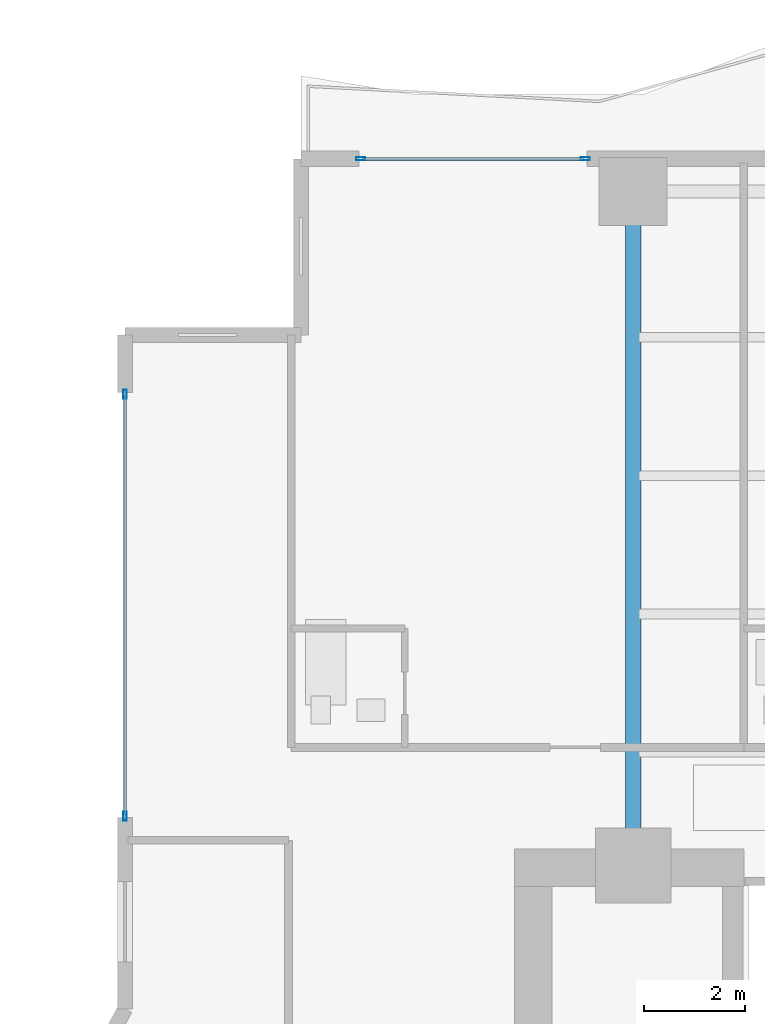
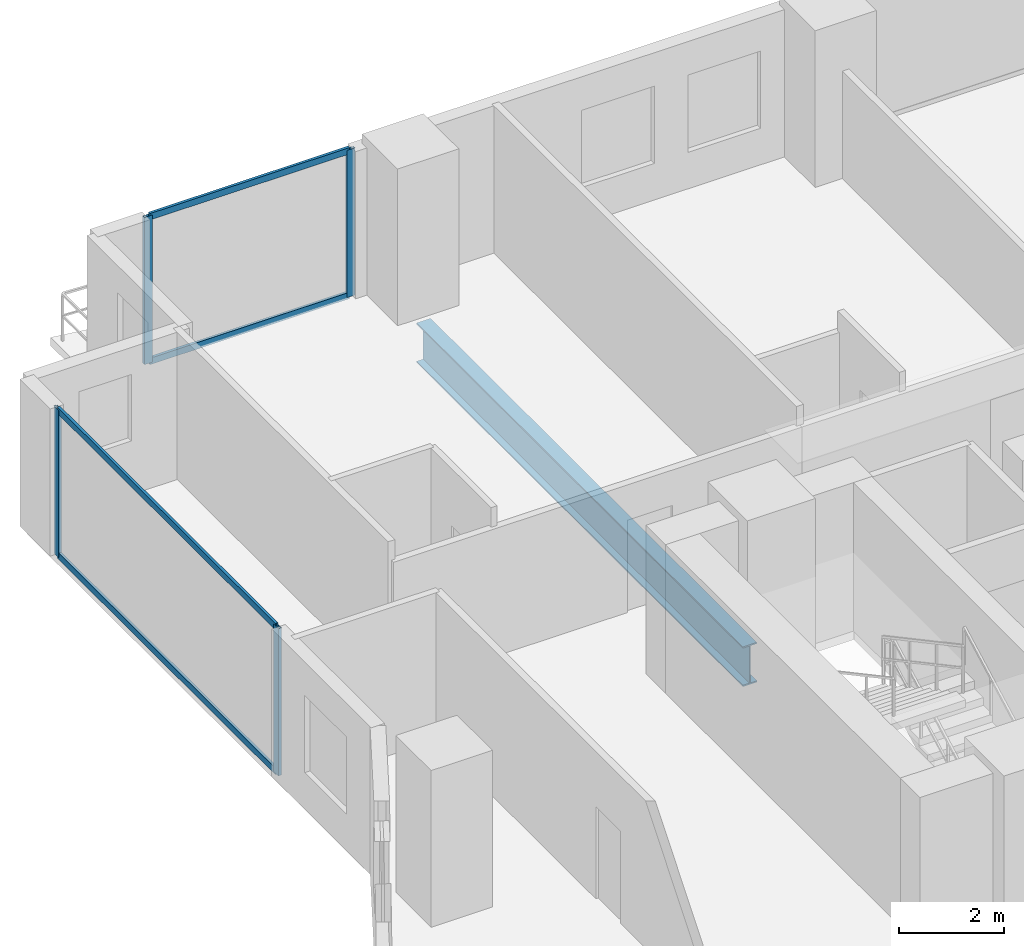
# One storey, part 14 of 28: 8 members, 1 beam, 2 elements without a shape of their own.
"""IFC4 building model written with IfcOpenShell, lengths in metres."""

from ifc_helpers import new_model, si_unit, direction, frame, origin, origin_2d, place, context, subcontext, project, spatial, hollow_rectangle, i_section, extrude, material, layer, layer_set, material_profile, profile_set, type_object, element, aggregate, save


model = new_model("IFC4")

# Units and contexts
model_context = context("Model", 3, precision=1e-05, world=origin(), true_north=direction((0.0, 1.0)))
body_context = subcontext(model_context, "Body", "Model", "MODEL_VIEW")
ifc_project = project(units=[si_unit("LENGTHUNIT", "METRE"), si_unit("AREAUNIT", "SQUARE_METRE"), si_unit("VOLUMEUNIT", "CUBIC_METRE"), si_unit("PLANEANGLEUNIT", "RADIAN"), si_unit("MASSUNIT", "GRAM", prefix="KILO")], contexts=[model_context])

# Site, building, storey
site_placement = place(None, origin())
site = spatial("IfcSite", under=ifc_project, at=site_placement, CompositionType="ELEMENT")
building_placement = place(site_placement, origin())
building = spatial("IfcBuilding", under=site, at=building_placement, Name="Zuhayl Quay Hotel", CompositionType="ELEMENT")
storey_placement = place(building_placement, frame((0.0, 0.0, 121.199951171875)))
storey = spatial("IfcBuildingStorey", under=building, at=storey_placement, Name="L30", CompositionType="ELEMENT", Elevation=121.199951171875)

# Beam
ifc_material_1 = material(Name="Steel ASTM A992 Grade 50", Category="steel")
ifc_material_profile_1 = material_profile(ifc_material_1, i_section(OverallWidth=0.306884765625, OverallDepth=0.927001953125, WebThickness=0.019287109375, FlangeThickness=0.031982421875, at=origin_2d()), Name="W36X194")
ifc_profile_set_1 = profile_set([ifc_material_profile_1], Name="Steel ASTM A992 Grade 50")
beam_type = type_object("IfcBeamType", Name="BM_PG2_W36X194", PredefinedType="BEAM", material=ifc_profile_set_1)
beam_placement = place(storey_placement, frame((-13.800048828125, 14.800048828125, -0.683349609375), z_axis=(0.0, 1.0, 0.0), x_axis=(-1.0, 0.0, 0.0)))
element("IfcBeam", 1, at=beam_placement, inside=storey, type_object=beam_type, Name="L30 Floor Beam FG_N_L30_1", PredefinedType="BEAM", context=body_context, shape_type="SweptSolid", body=[
    extrude(i_section(OverallWidth=0.306884765625, OverallDepth=0.927001953125, WebThickness=0.019287109375, FlangeThickness=0.031982421875, at=origin_2d()), origin(), (0.0, 0.0, 1.0), 12.449951171875),
])

# Curtain wall, members
ifc_material_2 = material(Name="Anodised Aluminium 6063-T6", Category="aluminium")
ifc_layer = layer(ifc_material_2, 0.179931640625, Name="Anodised Aluminium 6063-T6", Category="aluminium")
ifc_layer_set = layer_set([ifc_layer], Name="Anodised Aluminium 6063-T6")
curtain_wall_type = type_object("IfcCurtainWallType", Name="CW_SYS_Z2", PredefinedType="USERDEFINED", material=ifc_layer_set)
curtain_wall_1_placement = place(storey_placement, origin())
curtain_wall_1 = element("IfcCurtainWall", 2, at=curtain_wall_1_placement, inside=storey, type_object=curtain_wall_type, Name="L30 Curtain Wall ENV_L30_E05_CW1", ObjectType="UNITISED CURTAIN WALL", PredefinedType="USERDEFINED")
ifc_material_3 = material(Name="Black-anodised aluminium 6063-T6", Category="aluminium")
ifc_material_profile_2 = material_profile(ifc_material_3, hollow_rectangle(XDim=0.06494140625, YDim=0.179931640625, WallThickness=0.00341796875, at=origin_2d()), Name="ALU180X65")
ifc_profile_set_2 = profile_set([ifc_material_profile_2], Name="Black-anodised aluminium 6063-T6")
member_type_1 = type_object("IfcMemberType", Name="MB_CW_MUL_180", PredefinedType="MULLION", material=ifc_profile_set_2)
member_1_placement = place(storey_placement, frame((-23.89990234375, 15.33251953125, 0.0), z_axis=(0.0, 0.0, 1.0), x_axis=(-1.0, 0.0, 0.0)))
member_1 = element("IfcMember", 3, at=member_1_placement, type_object=member_type_1, Name="CW-Z2 mullion 1", PredefinedType="MULLION", context=body_context, shape_type="SweptSolid", body=[
    extrude(hollow_rectangle(XDim=0.06494140625, YDim=0.179931640625, WallThickness=0.00341796875, at=origin_2d()), origin(), (0.0, 0.0, 1.0), 3.429931640625),
])
member_2_placement = place(storey_placement, frame((-23.89990234375, 23.717529296875, 0.0), z_axis=(0.0, 0.0, 1.0), x_axis=(-1.0, 0.0, 0.0)))
member_2 = element("IfcMember", 4, at=member_2_placement, type_object=member_type_1, Name="CW-Z2 mullion 2", PredefinedType="MULLION", context=body_context, shape_type="SweptSolid", body=[
    extrude(hollow_rectangle(XDim=0.06494140625, YDim=0.179931640625, WallThickness=0.00341796875, at=origin_2d()), origin(), (0.0, 0.0, 1.0), 3.429931640625),
])

curtain_wall_2_placement = place(storey_placement, origin())
curtain_wall_2 = element("IfcCurtainWall", 5, at=curtain_wall_2_placement, inside=storey, type_object=curtain_wall_type, Name="L30 Curtain Wall ENV_L30_N_CW1", ObjectType="UNITISED CURTAIN WALL", PredefinedType="USERDEFINED")
member_3_placement = place(storey_placement, frame((-19.217529296875, 28.39990234375, 0.0), z_axis=(0.0, 0.0, 1.0), x_axis=(0.0, 1.0, 0.0)))
member_3 = element("IfcMember", 6, at=member_3_placement, type_object=member_type_1, Name="CW-Z2 mullion 1", PredefinedType="MULLION", context=body_context, shape_type="SweptSolid", body=[
    extrude(hollow_rectangle(XDim=0.06494140625, YDim=0.179931640625, WallThickness=0.00341796875, at=origin_2d()), origin(), (0.0, 0.0, 1.0), 3.429931640625),
])
member_4_placement = place(storey_placement, frame((-14.75244140625, 28.39990234375, 0.0), z_axis=(0.0, 0.0, 1.0), x_axis=(0.0, 1.0, 0.0)))
member_4 = element("IfcMember", 7, at=member_4_placement, type_object=member_type_1, Name="CW-Z2 mullion 2", PredefinedType="MULLION", context=body_context, shape_type="SweptSolid", body=[
    extrude(hollow_rectangle(XDim=0.06494140625, YDim=0.179931640625, WallThickness=0.00341796875, at=origin_2d()), origin(), (0.0, 0.0, 1.0), 3.429931640625),
])

# Member
ifc_material_profile_3 = material_profile(ifc_material_3, hollow_rectangle(XDim=0.06005859375, YDim=0.14990234375, WallThickness=0.00341796875, at=origin_2d()), Name="ALU150X60")
ifc_profile_set_3 = profile_set([ifc_material_profile_3], Name="Black-anodised aluminium 6063-T6")
member_type_2 = type_object("IfcMemberType", Name="MB_CW_TRN_150", PredefinedType="USERDEFINED", material=ifc_profile_set_3)
member_5_placement = place(storey_placement, frame((-23.89990234375, 15.364990234375, 0.030029296875), z_axis=(0.0, 1.0, 0.0), x_axis=(-1.0, 0.0, 0.0)))
member_5 = element("IfcMember", 8, at=member_5_placement, type_object=member_type_2, Name="CW-Z2 transom 1.1", ObjectType="TRANSOM", PredefinedType="USERDEFINED", context=body_context, shape_type="SweptSolid", body=[
    extrude(hollow_rectangle(XDim=0.06005859375, YDim=0.14990234375, WallThickness=0.00341796875, at=origin_2d()), origin(), (0.0, 0.0, 1.0), 8.320068359375),
])

member_6_placement = place(storey_placement, frame((-23.89990234375, 15.364990234375, 3.400146484375), z_axis=(0.0, 1.0, 0.0), x_axis=(-1.0, 0.0, 0.0)))
member_6 = element("IfcMember", 9, at=member_6_placement, type_object=member_type_2, Name="CW-Z2 transom 1.2", ObjectType="TRANSOM", PredefinedType="USERDEFINED", context=body_context, shape_type="SweptSolid", body=[
    extrude(hollow_rectangle(XDim=0.06005859375, YDim=0.14990234375, WallThickness=0.00341796875, at=origin_2d()), origin(), (0.0, 0.0, 1.0), 8.320068359375),
])

aggregate(curtain_wall_1, [member_1, member_2, member_5, member_6])

member_7_placement = place(storey_placement, frame((-19.18505859375, 28.39990234375, 0.030029296875), z_axis=(1.0, 0.0, 0.0), x_axis=(0.0, 1.0, 0.0)))
member_7 = element("IfcMember", 10, at=member_7_placement, type_object=member_type_2, Name="CW-Z2 transom 1.1", ObjectType="TRANSOM", PredefinedType="USERDEFINED", context=body_context, shape_type="SweptSolid", body=[
    extrude(hollow_rectangle(XDim=0.06005859375, YDim=0.14990234375, WallThickness=0.00341796875, at=origin_2d()), origin(), (0.0, 0.0, 1.0), 4.400146484375),
])

member_8_placement = place(storey_placement, frame((-19.18505859375, 28.39990234375, 3.400146484375), z_axis=(1.0, 0.0, 0.0), x_axis=(0.0, 1.0, 0.0)))
member_8 = element("IfcMember", 11, at=member_8_placement, type_object=member_type_2, Name="CW-Z2 transom 1.2", ObjectType="TRANSOM", PredefinedType="USERDEFINED", context=body_context, shape_type="SweptSolid", body=[
    extrude(hollow_rectangle(XDim=0.06005859375, YDim=0.14990234375, WallThickness=0.00341796875, at=origin_2d()), origin(), (0.0, 0.0, 1.0), 4.400146484375),
])

aggregate(curtain_wall_2, [member_3, member_4, member_7, member_8])

save(model, "model.ifc")
